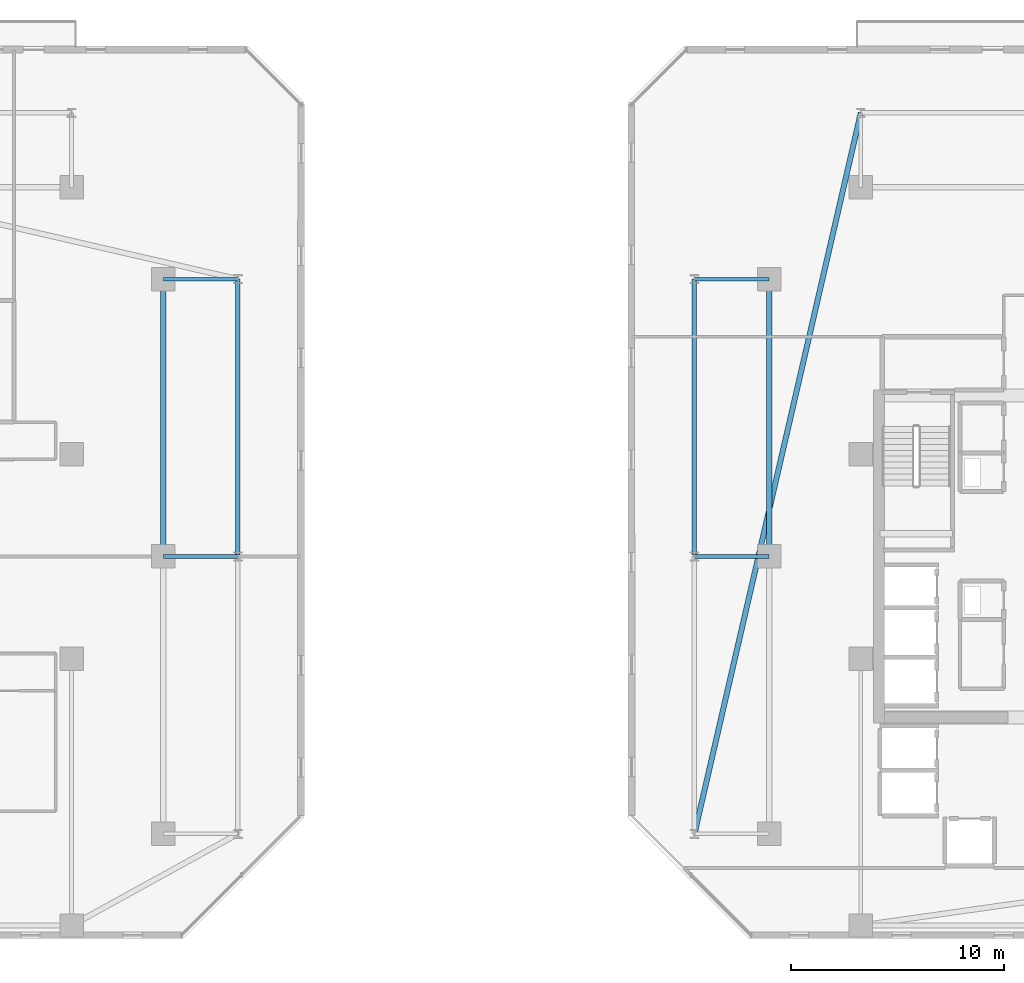
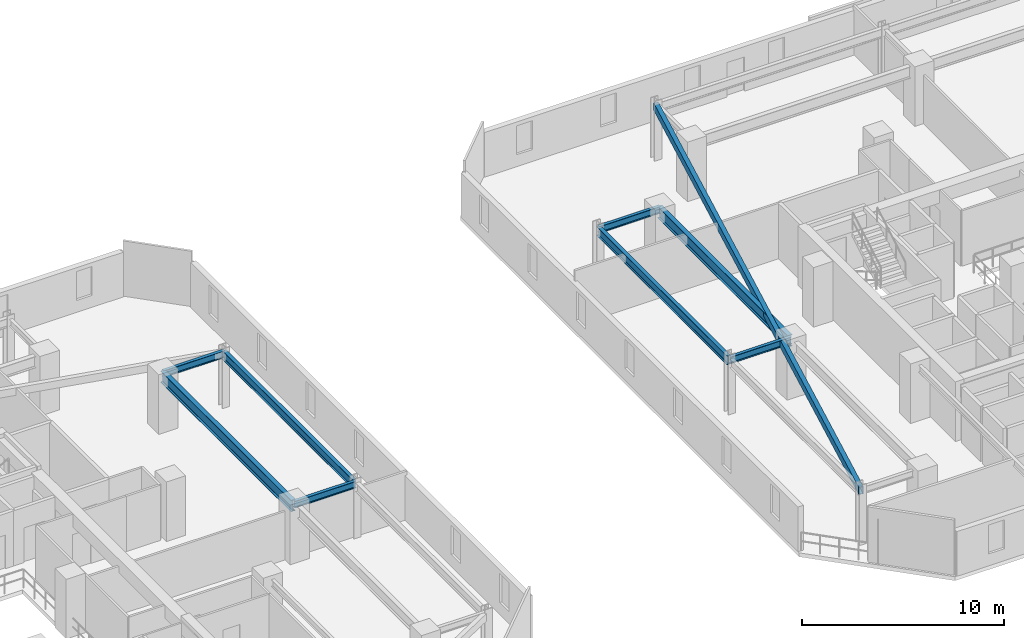
# One storey, part 7 of 32: 9 beams.
"""IFC4 building model written with IfcOpenShell, lengths in metres."""

from ifc_helpers import new_model, si_unit, direction, frame, origin, origin_2d, place, context, subcontext, project, spatial, hollow_rectangle, i_section, extrude, material, material_profile, profile_set, type_object, element, save


model = new_model("IFC4")

# Units and contexts
model_context = context("Model", 3, precision=1e-05, world=origin(), true_north=direction((0.0, 1.0)))
body_context = subcontext(model_context, "Body", "Model", "MODEL_VIEW")
ifc_project = project(units=[si_unit("LENGTHUNIT", "METRE"), si_unit("AREAUNIT", "SQUARE_METRE"), si_unit("VOLUMEUNIT", "CUBIC_METRE"), si_unit("PLANEANGLEUNIT", "RADIAN"), si_unit("MASSUNIT", "GRAM", prefix="KILO")], contexts=[model_context])

# Site, building, storey
site_placement = place(None, origin())
site = spatial("IfcSite", under=ifc_project, at=site_placement, CompositionType="ELEMENT")
building_placement = place(site_placement, origin())
building = spatial("IfcBuilding", under=site, at=building_placement, Name="Thornwick Lancets Civic Towers", CompositionType="ELEMENT")
storey_placement = place(building_placement, frame((0.0, 0.0, 182.10009765625)))
storey = spatial("IfcBuildingStorey", under=building, at=storey_placement, Name="L48", CompositionType="ELEMENT", Elevation=182.10009765625)

# Beams
ifc_material = material(Name="Steel S355JR", Category="steel")
ifc_material_profile_1 = material_profile(ifc_material, i_section(OverallWidth=0.210693359375, OverallDepth=0.53955078125, WebThickness=0.01171875, FlangeThickness=0.018798828125, FilletRadius=0.0126953125, at=origin_2d()), Name="UKB 533x210x109")
ifc_profile_set_1 = profile_set([ifc_material_profile_1], Name="Steel S355JR")
beam_type_1 = type_object("IfcBeamType", Name="BM_EDGE_533_109", PredefinedType="SPANDREL", material=ifc_profile_set_1)
for number, where, z_axis, x_axis, name in (
    (1, (46.300048828125, 27.080078125, 3.090087890625), (0.0, 1.0, 0.0), (-1.0, 0.0, 0.0), "BM-EDGE-L48-A-S1-2"),
    (2, (67.699951171875, 27.080078125, 3.090087890625), (0.0, 1.0, 0.0), (-1.0, 0.0, 0.0), "BM-EDGE-L48-B-S2-2"),
):
    element("IfcBeam", number, at=place(storey_placement, frame(where, z_axis=z_axis, x_axis=x_axis)), inside=storey, type_object=beam_type_1, Name=name, PredefinedType="SPANDREL", context=body_context, shape_type="SweptSolid", body=[
        extrude(i_section(OverallWidth=0.210693359375, OverallDepth=0.53955078125, WebThickness=0.01171875, FlangeThickness=0.018798828125, FilletRadius=0.0126953125, at=origin_2d()), origin(), (0.0, 0.0, 1.0), 12.919921875),
    ])
ifc_material_profile_2 = material_profile(ifc_material, i_section(OverallWidth=0.255859375, OverallDepth=0.69287109375, WebThickness=0.014404296875, FlangeThickness=0.023681640625, FilletRadius=0.01513671875, at=origin_2d()), Name="UKB 686x254x170")
ifc_profile_set_2 = profile_set([ifc_material_profile_2], Name="Steel S355JR")
beam_type_2 = type_object("IfcBeamType", Name="BM_GIRD_686_170", PredefinedType="BEAM", material=ifc_profile_set_2)
for number, where, z_axis, x_axis, name in (
    (3, (42.800048828125, 27.080078125, 3.013427734375), (0.0, 1.0, 0.0), (-1.0, 0.0, 0.0), "BM-SPINE-L48-A-4-5"),
    (4, (71.199951171875, 27.080078125, 3.013427734375), (0.0, 1.0, 0.0), (-1.0, 0.0, 0.0), "BM-SPINE-L48-B-7-8"),
):
    element("IfcBeam", number, at=place(storey_placement, frame(where, z_axis=z_axis, x_axis=x_axis)), inside=storey, type_object=beam_type_2, Name=name, PredefinedType="BEAM", context=body_context, shape_type="SweptSolid", body=[
        extrude(i_section(OverallWidth=0.255859375, OverallDepth=0.69287109375, WebThickness=0.014404296875, FlangeThickness=0.023681640625, FilletRadius=0.01513671875, at=origin_2d()), origin(), (0.0, 0.0, 1.0), 12.919921875),
    ])
ifc_material_profile_3 = material_profile(ifc_material, i_section(OverallWidth=0.179443359375, OverallDepth=0.412841796875, WebThickness=0.009521484375, FlangeThickness=0.01611328125, FilletRadius=0.01025390625, at=origin_2d()), Name="UKB 406x178x74")
ifc_profile_set_3 = profile_set([ifc_material_profile_3], Name="Steel S355JR")
beam_type_3 = type_object("IfcBeamType", Name="BM_JOIST_406_74", PredefinedType="JOIST", material=ifc_profile_set_3)
for number, where, z_axis, x_axis, name in (
    (5, (42.800048828125, 27.0, 3.153564453125), (1.0, 0.0, 0.0), (0.0, 1.0, 0.0), "BM-RAD-L48-A05"),
    (6, (42.800048828125, 40.0, 3.153564453125), (1.0, 0.0, 0.0), (0.0, 1.0, 0.0), "BM-RAD-L48-A06"),
    (7, (71.199951171875, 27.0, 3.153564453125), (-1.0, 0.0, 0.0), (0.0, -1.0, 0.0), "BM-RAD-L48-B08"),
    (8, (71.199951171875, 40.0, 3.153564453125), (-1.0, 0.0, 0.0), (0.0, -1.0, 0.0), "BM-RAD-L48-B09"),
):
    element("IfcBeam", number, at=place(storey_placement, frame(where, z_axis=z_axis, x_axis=x_axis)), inside=storey, type_object=beam_type_3, Name=name, PredefinedType="JOIST", context=body_context, shape_type="SweptSolid", body=[
        extrude(i_section(OverallWidth=0.179443359375, OverallDepth=0.412841796875, WebThickness=0.009521484375, FlangeThickness=0.01611328125, FilletRadius=0.01025390625, at=origin_2d()), origin(), (0.0, 0.0, 1.0), 3.5),
    ])
ifc_material_profile_4 = material_profile(ifc_material, hollow_rectangle(XDim=0.25, YDim=0.449951171875, WallThickness=0.01611328125, at=origin_2d()), Name="RHS 450x250x16")
ifc_profile_set_4 = profile_set([ifc_material_profile_4], Name="Steel S355JR")
beam_type_4 = type_object("IfcBeamType", Name="BM_RING_RHS450", PredefinedType="BEAM", material=ifc_profile_set_4)
beam_placement = place(storey_placement, frame((75.5, 47.800048828125, 3.135009765625), z_axis=(-0.224860534737, -0.974390958454, 0.0), x_axis=(0.974390958454, -0.224860534737, 0.0)))
element("IfcBeam", 9, at=beam_placement, inside=storey, type_object=beam_type_4, Name="BM-CHAMF-L48-B-C1", PredefinedType="BEAM", context=body_context, shape_type="SweptSolid", body=[
    extrude(hollow_rectangle(XDim=0.25, YDim=0.449951171875, WallThickness=0.01611328125, at=origin_2d()), origin(), (0.0, 0.0, 1.0), 34.6884765625),
])

save(model, "model.ifc")
